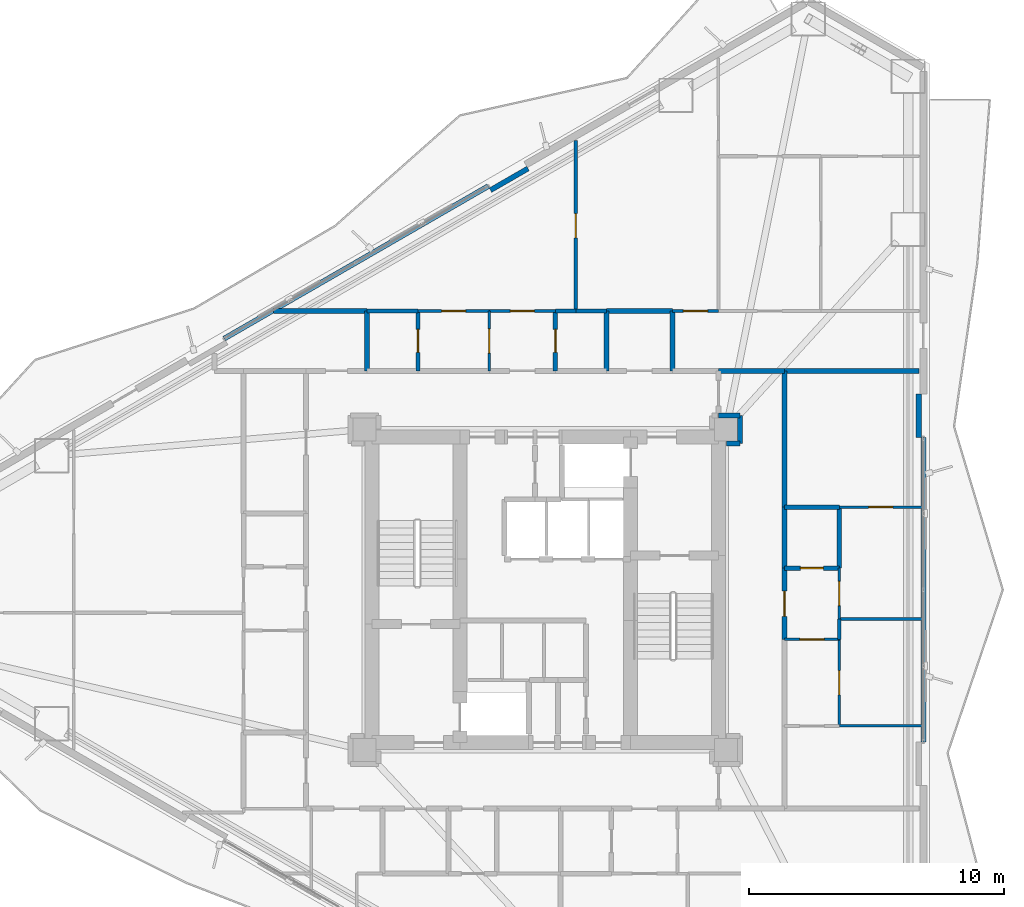
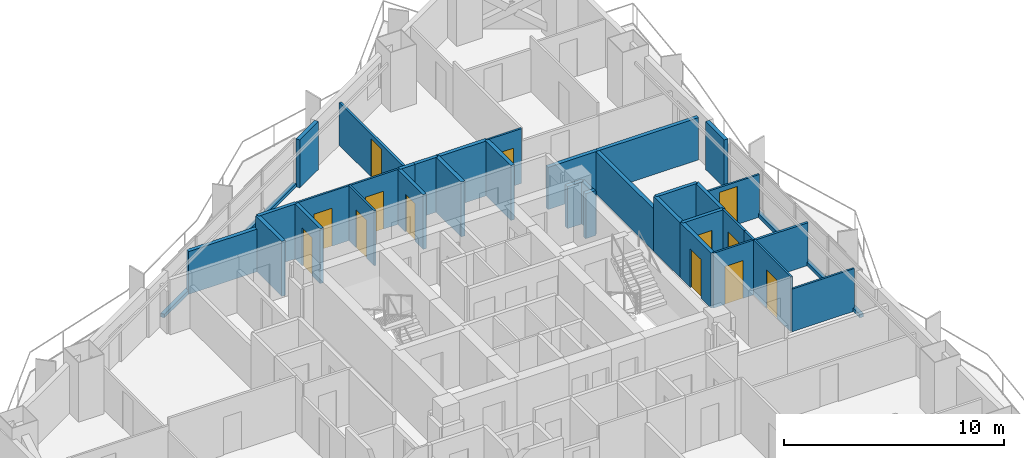
# One storey, part 16 of 19: 37 walls, 13 doors, 13 openings.
"""IFC4 building model written with IfcOpenShell, lengths in metres."""

from ifc_helpers import new_model, si_unit, direction, frame, frame_2d, origin, place, context, subcontext, project, spatial, rectangle, extrude, material, layer, layer_set, type_object, element, fill, save


model = new_model("IFC4")

# Units and contexts
model_context = context("Model", 3, precision=1e-05, world=origin(), true_north=direction((0.0, 1.0)))
body_context = subcontext(model_context, "Body", "Model", "MODEL_VIEW")
ifc_project = project(units=[si_unit("LENGTHUNIT", "METRE"), si_unit("AREAUNIT", "SQUARE_METRE"), si_unit("VOLUMEUNIT", "CUBIC_METRE"), si_unit("PLANEANGLEUNIT", "RADIAN"), si_unit("MASSUNIT", "GRAM", prefix="KILO")], contexts=[model_context])

# Site, building, storey
site_placement = place(None, origin())
site = spatial("IfcSite", under=ifc_project, at=site_placement, CompositionType="ELEMENT")
building_placement = place(site_placement, origin())
building = spatial("IfcBuilding", under=site, at=building_placement, Name="Mersakhor Tower and Convention Hall", CompositionType="ELEMENT")
storey_placement = place(building_placement, frame((0.0, 0.0, 25.800048828125)))
storey = spatial("IfcBuildingStorey", under=building, at=storey_placement, Name="L06", CompositionType="ELEMENT", Elevation=25.800048828125)

# Walls
ifc_material_1 = material(Name="Precast concrete C40/50", Category="concrete")
ifc_layer_1 = layer(ifc_material_1, 0.199951171875)
ifc_layer_set_1 = layer_set([ifc_layer_1], Name="Precast concrete C40/50")
wall_type_1 = type_object("IfcWallType", Name="WL-PAR-200", PredefinedType="PARAPET", material=ifc_layer_set_1)
wall_1_placement = place(storey_placement, frame((16.390380859375, 36.6171875, 0.0), z_axis=(0.0, 0.0, 1.0), x_axis=(0.866027351828, 0.499996625875, 0.0)))
element("IfcWall", 1, at=wall_1_placement, inside=storey, type_object=wall_type_1, Name="L06 Curtain Wall Upstand Sill F1-B2", PredefinedType="PARAPET", context=body_context, shape_type="SweptSolid", body=[
    extrude(rectangle(XDim=11.97314453125, YDim=0.199951171875, at=frame_2d((5.986572265625, 0.0))), origin(), (0.0, 0.0, 1.0), 0.199951171875),
])
wall_2_placement = place(storey_placement, frame((26.849609375, 42.447998046875, 0.0), z_axis=(0.0, 0.0, 1.0), x_axis=(0.86605165483, 0.499954529098, 0.0)))
element("IfcWall", 2, at=wall_2_placement, inside=storey, type_object=wall_type_1, Name="L06 Column Pier Cladding Wall F1-C2", PredefinedType="PARAPET", context=body_context, shape_type="SweptSolid", body=[
    extrude(rectangle(XDim=1.699951171875, YDim=0.199951171875, at=frame_2d((0.85009765625, 0.0))), origin(), (0.0, 0.0, 1.0), 2.659912109375),
])
wall_3_placement = place(storey_placement, frame((43.85009765625, 32.736572265625, 0.0), z_axis=(0.0, 0.0, 1.0), x_axis=(0.0, -1.0, 0.0)))
element("IfcWall", 3, at=wall_3_placement, inside=storey, type_object=wall_type_1, Name="L06 Curtain Wall Upstand Sill F2-B2", PredefinedType="PARAPET", context=body_context, shape_type="SweptSolid", body=[
    extrude(rectangle(XDim=11.97314453125, YDim=0.199951171875, at=frame_2d((5.986572265625, 0.0))), origin(), (0.0, 0.0, 1.0), 0.199951171875),
])
wall_4_placement = place(storey_placement, frame((43.669921875, 34.4365234375, 0.0), z_axis=(0.0, 0.0, 1.0), x_axis=(0.0, -1.0, 0.0)))
element("IfcWall", 4, at=wall_4_placement, inside=storey, type_object=wall_type_1, Name="L06 Column Pier Cladding Wall F2-C1", PredefinedType="PARAPET", context=body_context, shape_type="SweptSolid", body=[
    extrude(rectangle(XDim=1.699951171875, YDim=0.199951171875, at=frame_2d((0.85009765625, 0.0))), origin(), (0.0, 0.0, 1.0), 2.659912109375),
])

# Wall, opening, door
ifc_material_2 = material(Name="Moisture-resistant acoustic drywall studwork", Category="other")
ifc_layer_2 = layer(ifc_material_2, 0.175048828125)
ifc_layer_set_2 = layer_set([ifc_layer_2], Name="Moisture-resistant acoustic drywall studwork")
wall_type_2 = type_object("IfcWallType", Name="WL-PLM-175", PredefinedType="PLUMBINGWALL", material=ifc_layer_set_2)
wall_5_placement = place(storey_placement, frame((29.39990234375, 37.699951171875, 0.0), z_axis=(0.0, 0.0, 1.0), x_axis=(0.0, -1.0, 0.0)))
wall_5 = element("IfcWall", 5, at=wall_5_placement, inside=storey, type_object=wall_type_2, Name="L06 Interior Partition Wall P-069", PredefinedType="PLUMBINGWALL", context=body_context, shape_type="SweptSolid", body=[
    extrude(rectangle(XDim=2.349853515625, YDim=0.175048828125, at=frame_2d((1.1748046875, 0.0))), origin(), (0.0, 0.0, 1.0), 3.0400390625),
])
opening_1_placement = place(wall_5_placement, frame((0.72509765625, 0.0, 0.0)))
opening_1 = element("IfcOpeningElement", 6, at=opening_1_placement, cuts=wall_5, Name="Opening WD-01", PredefinedType="OPENING", context=body_context, shape_type="SweptSolid", body=[
    extrude(rectangle(XDim=0.89990234375, YDim=2.10009765625, at=frame_2d((0.449951171875, 1.050048828125))), frame((0.0, 0.097412109375, 0.0), z_axis=(0.0, -1.0, 0.0), x_axis=(1.0, 0.0, 0.0)), (0.0, 0.0, 1.0), 0.195068359375),
])
ifc_material_3 = material(Name="Solid-core hardwood leaf in painted steel frame", Category="steel")
door_type_1 = type_object("IfcDoorType", Name="DR-INT-WET-090x210", OperationType="NOTDEFINED", PredefinedType="DOOR", material=ifc_material_3)
door_1_placement = place(opening_1_placement, origin())
door_1 = element("IfcDoor", 7, at=door_1_placement, inside=storey, type_object=door_type_1, Name="L06 L06 Flat N1 Apartment Hall to L06 Flat N1 En-Suite Shower Room Door", OperationType="SINGLE_SWING_RIGHT", OverallHeight=2.10009765625, OverallWidth=0.89990234375, PredefinedType="DOOR", context=body_context, shape_type="SweptSolid", body=[
    extrude(rectangle(XDim=0.89990234375, YDim=2.10009765625, at=frame_2d((0.449951171875, 1.050048828125))), frame((0.0, 0.02490234375, 0.0), z_axis=(0.0, -1.0, 0.0), x_axis=(1.0, 0.0, 0.0)), (0.0, 0.0, 1.0), 0.050048828125),
])
fill(opening_1, door_1)

wall_6_placement = place(storey_placement, frame((38.39990234375, 27.60009765625, 0.0), z_axis=(0.0, 0.0, 1.0), x_axis=(1.0, 0.0, 0.0)))
wall_6 = element("IfcWall", 8, at=wall_6_placement, inside=storey, type_object=wall_type_2, Name="L06 Interior Partition Wall P-081", PredefinedType="PLUMBINGWALL", context=body_context, shape_type="SweptSolid", body=[
    extrude(rectangle(XDim=2.150146484375, YDim=0.175048828125, at=frame_2d((1.0751953125, 0.0))), origin(), (0.0, 0.0, 1.0), 3.0400390625),
])
opening_2_placement = place(wall_6_placement, frame((0.625, 0.0, 0.0)))
opening_2 = element("IfcOpeningElement", 9, at=opening_2_placement, cuts=wall_6, Name="Opening WD-01", PredefinedType="OPENING", context=body_context, shape_type="SweptSolid", body=[
    extrude(rectangle(XDim=0.89990234375, YDim=2.10009765625, at=frame_2d((0.449951171875, 1.050048828125))), frame((0.0, 0.097412109375, 0.0), z_axis=(0.0, -1.0, 0.0), x_axis=(1.0, 0.0, 0.0)), (0.0, 0.0, 1.0), 0.195068359375),
])
door_2_placement = place(opening_2_placement, origin())
door_2 = element("IfcDoor", 10, at=door_2_placement, inside=storey, type_object=door_type_1, Name="L06 L06 Flat E5 Apartment Hall to L06 Flat E5 Bathroom Door", OperationType="SINGLE_SWING_RIGHT", OverallHeight=2.10009765625, OverallWidth=0.89990234375, PredefinedType="DOOR", context=body_context, shape_type="SweptSolid", body=[
    extrude(rectangle(XDim=0.89990234375, YDim=2.10009765625, at=frame_2d((0.449951171875, 1.050048828125))), frame((0.0, 0.02490234375, 0.0), z_axis=(0.0, -1.0, 0.0), x_axis=(1.0, 0.0, 0.0)), (0.0, 0.0, 1.0), 0.050048828125),
])
fill(opening_2, door_2)

wall_7_placement = place(storey_placement, frame((24.0, 35.35009765625, 0.0), z_axis=(0.0, 0.0, 1.0), x_axis=(0.0, 1.0, 0.0)))
wall_7 = element("IfcWall", 11, at=wall_7_placement, inside=storey, type_object=wall_type_2, Name="L06 Interior Partition Wall P-083", PredefinedType="PLUMBINGWALL", context=body_context, shape_type="SweptSolid", body=[
    extrude(rectangle(XDim=2.349853515625, YDim=0.175048828125, at=frame_2d((1.1748046875, 0.0))), origin(), (0.0, 0.0, 1.0), 3.0400390625),
])
opening_3_placement = place(wall_7_placement, frame((0.72509765625, 0.0, 0.0)))
opening_3 = element("IfcOpeningElement", 12, at=opening_3_placement, cuts=wall_7, Name="Opening WD-01", PredefinedType="OPENING", context=body_context, shape_type="SweptSolid", body=[
    extrude(rectangle(XDim=0.89990234375, YDim=2.10009765625, at=frame_2d((0.449951171875, 1.050048828125))), frame((0.0, 0.097412109375, 0.0), z_axis=(0.0, -1.0, 0.0), x_axis=(1.0, 0.0, 0.0)), (0.0, 0.0, 1.0), 0.195068359375),
])
door_3_placement = place(opening_3_placement, origin())
door_3 = element("IfcDoor", 13, at=door_3_placement, inside=storey, type_object=door_type_1, Name="L06 L06 Flat N1 Kitchen to L06 Flat N1 Bathroom Door", OperationType="SINGLE_SWING_RIGHT", OverallHeight=2.10009765625, OverallWidth=0.89990234375, PredefinedType="DOOR", context=body_context, shape_type="SweptSolid", body=[
    extrude(rectangle(XDim=0.89990234375, YDim=2.10009765625, at=frame_2d((0.449951171875, 1.050048828125))), frame((0.0, 0.02490234375, 0.0), z_axis=(0.0, -1.0, 0.0), x_axis=(1.0, 0.0, 0.0)), (0.0, 0.0, 1.0), 0.050048828125),
])
fill(opening_3, door_3)

# Walls
wall_8_placement = place(storey_placement, frame((22.0, 37.699951171875, 0.0), z_axis=(0.0, 0.0, 1.0), x_axis=(1.0, 0.0, 0.0)))
element("IfcWall", 14, at=wall_8_placement, inside=storey, type_object=wall_type_2, Name="L06 Interior Partition Wall P-084", PredefinedType="PLUMBINGWALL", context=body_context, shape_type="SweptSolid", body=[
    extrude(rectangle(XDim=2.0, YDim=0.175048828125, at=frame_2d((1.0, 0.0))), origin(), (0.0, 0.0, 1.0), 3.0400390625),
])
wall_9_placement = place(storey_placement, frame((29.39990234375, 37.699951171875, 0.0), z_axis=(0.0, 0.0, 1.0), x_axis=(1.0, 0.0, 0.0)))
element("IfcWall", 15, at=wall_9_placement, inside=storey, type_object=wall_type_2, Name="L06 Interior Partition Wall P-086", PredefinedType="PLUMBINGWALL", context=body_context, shape_type="SweptSolid", body=[
    extrude(rectangle(XDim=0.800048828125, YDim=0.175048828125, at=frame_2d((0.39990234375, 0.0))), origin(), (0.0, 0.0, 1.0), 3.0400390625),
])
wall_10_placement = place(storey_placement, frame((30.199951171875, 37.699951171875, 0.0), z_axis=(0.0, 0.0, 1.0), x_axis=(1.0, 0.0, 0.0)))
element("IfcWall", 16, at=wall_10_placement, inside=storey, type_object=wall_type_2, Name="L06 Interior Partition Wall P-087", PredefinedType="PLUMBINGWALL", context=body_context, shape_type="SweptSolid", body=[
    extrude(rectangle(XDim=1.199951171875, YDim=0.175048828125, at=frame_2d((0.60009765625, 0.0))), origin(), (0.0, 0.0, 1.0), 3.0400390625),
])
wall_11_placement = place(storey_placement, frame((40.550048828125, 30.0, 0.0), z_axis=(0.0, 0.0, 1.0), x_axis=(0.0, -1.0, 0.0)))
element("IfcWall", 17, at=wall_11_placement, inside=storey, type_object=wall_type_2, Name="L06 Interior Partition Wall P-101", PredefinedType="PLUMBINGWALL", context=body_context, shape_type="SweptSolid", body=[
    extrude(rectangle(XDim=2.39990234375, YDim=0.175048828125, at=frame_2d((1.199951171875, 0.0))), origin(), (0.0, 0.0, 1.0), 3.0400390625),
])
wall_12_placement = place(storey_placement, frame((38.39990234375, 30.0, 0.0), z_axis=(0.0, 0.0, 1.0), x_axis=(1.0, 0.0, 0.0)))
element("IfcWall", 18, at=wall_12_placement, inside=storey, type_object=wall_type_2, Name="L06 Interior Partition Wall P-102", PredefinedType="PLUMBINGWALL", context=body_context, shape_type="SweptSolid", body=[
    extrude(rectangle(XDim=2.150146484375, YDim=0.175048828125, at=frame_2d((1.0751953125, 0.0))), origin(), (0.0, 0.0, 1.0), 3.0400390625),
])

# Wall, opening, door
ifc_material_4 = material(Name="Lightweight gypsum partition", Category="other")
ifc_layer_3 = layer(ifc_material_4, 0.10009765625)
ifc_layer_set_3 = layer_set([ifc_layer_3], Name="Lightweight gypsum partition")
wall_type_3 = type_object("IfcWallType", Name="WL-PRT-100", PredefinedType="PARTITIONING", material=ifc_layer_set_3)
wall_13_placement = place(storey_placement, frame((26.800048828125, 37.699951171875, 0.0), z_axis=(0.0, 0.0, 1.0), x_axis=(1.0, 0.0, 0.0)))
wall_13 = element("IfcWall", 19, at=wall_13_placement, inside=storey, type_object=wall_type_3, Name="L06 Interior Partition Wall P-068", PredefinedType="PARTITIONING", context=body_context, shape_type="SweptSolid", body=[
    extrude(rectangle(XDim=2.599853515625, YDim=0.10009765625, at=frame_2d((1.2998046875, 0.0))), origin(), (0.0, 0.0, 1.0), 3.0400390625),
])
opening_4_placement = place(wall_13_placement, frame((0.824951171875, 0.0, 0.0)))
opening_4 = element("IfcOpeningElement", 20, at=opening_4_placement, cuts=wall_13, Name="Opening RD-01", PredefinedType="OPENING", context=body_context, shape_type="SweptSolid", body=[
    extrude(rectangle(XDim=0.949951171875, YDim=2.10009765625, at=frame_2d((0.47509765625, 1.050048828125))), frame((0.0, 0.06005859375, 0.0), z_axis=(0.0, -1.0, 0.0), x_axis=(1.0, 0.0, 0.0)), (0.0, 0.0, 1.0), 0.1201171875),
])
ifc_material_5 = material(Name="Solid-core hardwood leaf in painted steel frame", Category="steel")
door_type_2 = type_object("IfcDoorType", Name="DR-INT-RM-095x210", OperationType="NOTDEFINED", PredefinedType="DOOR", material=ifc_material_5)
door_4_placement = place(opening_4_placement, origin())
door_4 = element("IfcDoor", 21, at=door_4_placement, inside=storey, type_object=door_type_2, Name="L06 L06 Flat N1 Apartment Hall to L06 Flat N1 Living and Dining Room Door", OperationType="SINGLE_SWING_LEFT", OverallHeight=2.10009765625, OverallWidth=0.949951171875, PredefinedType="DOOR", context=body_context, shape_type="SweptSolid", body=[
    extrude(rectangle(XDim=0.949951171875, YDim=2.10009765625, at=frame_2d((0.47509765625, 1.050048828125))), frame((0.0, 0.02490234375, 0.0), z_axis=(0.0, -1.0, 0.0), x_axis=(1.0, 0.0, 0.0)), (0.0, 0.0, 1.0), 0.050048828125),
])
fill(opening_4, door_4)

wall_14_placement = place(storey_placement, frame((26.800048828125, 35.35009765625, 0.0), z_axis=(0.0, 0.0, 1.0), x_axis=(0.0, 1.0, 0.0)))
wall_14 = element("IfcWall", 22, at=wall_14_placement, inside=storey, type_object=wall_type_3, Name="L06 Interior Partition Wall P-070", PredefinedType="PARTITIONING", context=body_context, shape_type="SweptSolid", body=[
    extrude(rectangle(XDim=2.349853515625, YDim=0.10009765625, at=frame_2d((1.1748046875, 0.0))), origin(), (0.0, 0.0, 1.0), 3.0400390625),
])
opening_5_placement = place(wall_14_placement, frame((0.699951171875, 0.0, 0.0)))
opening_5 = element("IfcOpeningElement", 23, at=opening_5_placement, cuts=wall_14, Name="Opening RD-01", PredefinedType="OPENING", context=body_context, shape_type="SweptSolid", body=[
    extrude(rectangle(XDim=0.949951171875, YDim=2.10009765625, at=frame_2d((0.47509765625, 1.050048828125))), frame((0.0, 0.06005859375, 0.0), z_axis=(0.0, -1.0, 0.0), x_axis=(1.0, 0.0, 0.0)), (0.0, 0.0, 1.0), 0.1201171875),
])
door_5_placement = place(opening_5_placement, origin())
door_5 = element("IfcDoor", 24, at=door_5_placement, inside=storey, type_object=door_type_2, Name="L06 L06 Flat N1 Apartment Hall to L06 Flat N1 Kitchen Door", OperationType="SINGLE_SWING_LEFT", OverallHeight=2.10009765625, OverallWidth=0.949951171875, PredefinedType="DOOR", context=body_context, shape_type="SweptSolid", body=[
    extrude(rectangle(XDim=0.949951171875, YDim=2.10009765625, at=frame_2d((0.47509765625, 1.050048828125))), frame((0.0, 0.02490234375, 0.0), z_axis=(0.0, -1.0, 0.0), x_axis=(1.0, 0.0, 0.0)), (0.0, 0.0, 1.0), 0.050048828125),
])
fill(opening_5, door_5)

wall_15_placement = place(storey_placement, frame((40.550048828125, 27.60009765625, 0.0), z_axis=(0.0, 0.0, 1.0), x_axis=(0.0, -1.0, 0.0)))
wall_15 = element("IfcWall", 25, at=wall_15_placement, inside=storey, type_object=wall_type_3, Name="L06 Interior Partition Wall P-078", PredefinedType="PARTITIONING", context=body_context, shape_type="SweptSolid", body=[
    extrude(rectangle(XDim=2.0, YDim=0.10009765625, at=frame_2d((1.0, 0.0))), origin(), (0.0, 0.0, 1.0), 3.0400390625),
])
opening_6_placement = place(wall_15_placement, frame((0.52490234375, 0.0, 0.0)))
opening_6 = element("IfcOpeningElement", 26, at=opening_6_placement, cuts=wall_15, Name="Opening RD-01", PredefinedType="OPENING", context=body_context, shape_type="SweptSolid", body=[
    extrude(rectangle(XDim=0.949951171875, YDim=2.10009765625, at=frame_2d((0.47509765625, 1.050048828125))), frame((0.0, 0.06005859375, 0.0), z_axis=(0.0, -1.0, 0.0), x_axis=(1.0, 0.0, 0.0)), (0.0, 0.0, 1.0), 0.1201171875),
])
door_6_placement = place(opening_6_placement, origin())
door_6 = element("IfcDoor", 27, at=door_6_placement, inside=storey, type_object=door_type_2, Name="L06 L06 Flat E5 Apartment Hall to L06 Flat E5 Master Bedroom Door", OperationType="SINGLE_SWING_LEFT", OverallHeight=2.10009765625, OverallWidth=0.949951171875, PredefinedType="DOOR", context=body_context, shape_type="SweptSolid", body=[
    extrude(rectangle(XDim=0.949951171875, YDim=2.10009765625, at=frame_2d((0.47509765625, 1.050048828125))), frame((0.0, 0.02490234375, 0.0), z_axis=(0.0, -1.0, 0.0), x_axis=(1.0, 0.0, 0.0)), (0.0, 0.0, 1.0), 0.050048828125),
])
fill(opening_6, door_6)

wall_16_placement = place(storey_placement, frame((40.550048828125, 24.800048828125, 0.0), z_axis=(0.0, 0.0, 1.0), x_axis=(-1.0, 0.0, 0.0)))
wall_16 = element("IfcWall", 28, at=wall_16_placement, inside=storey, type_object=wall_type_3, Name="L06 Interior Partition Wall P-080", PredefinedType="PARTITIONING", context=body_context, shape_type="SweptSolid", body=[
    extrude(rectangle(XDim=2.150146484375, YDim=0.10009765625, at=frame_2d((1.0751953125, 0.0))), origin(), (0.0, 0.0, 1.0), 3.0400390625),
])
opening_7_placement = place(wall_16_placement, frame((0.60009765625, 0.0, 0.0)))
opening_7 = element("IfcOpeningElement", 29, at=opening_7_placement, cuts=wall_16, Name="Opening RD-01", PredefinedType="OPENING", context=body_context, shape_type="SweptSolid", body=[
    extrude(rectangle(XDim=0.949951171875, YDim=2.10009765625, at=frame_2d((0.47509765625, 1.050048828125))), frame((0.0, 0.06005859375, 0.0), z_axis=(0.0, -1.0, 0.0), x_axis=(1.0, 0.0, 0.0)), (0.0, 0.0, 1.0), 0.1201171875),
])
door_7_placement = place(opening_7_placement, origin())
door_7 = element("IfcDoor", 30, at=door_7_placement, inside=storey, type_object=door_type_2, Name="L06 L06 Flat E5 Apartment Hall to L06 Flat E5 Dining Alcove Door", OperationType="SINGLE_SWING_RIGHT", OverallHeight=2.10009765625, OverallWidth=0.949951171875, PredefinedType="DOOR", context=body_context, shape_type="SweptSolid", body=[
    extrude(rectangle(XDim=0.949951171875, YDim=2.10009765625, at=frame_2d((0.47509765625, 1.050048828125))), frame((0.0, 0.02490234375, 0.0), z_axis=(0.0, -1.0, 0.0), x_axis=(1.0, 0.0, 0.0)), (0.0, 0.0, 1.0), 0.050048828125),
])
fill(opening_7, door_7)

wall_17_placement = place(storey_placement, frame((24.0, 37.699951171875, 0.0), z_axis=(0.0, 0.0, 1.0), x_axis=(1.0, 0.0, 0.0)))
wall_17 = element("IfcWall", 31, at=wall_17_placement, inside=storey, type_object=wall_type_3, Name="L06 Interior Partition Wall P-082", PredefinedType="PARTITIONING", context=body_context, shape_type="SweptSolid", body=[
    extrude(rectangle(XDim=2.800048828125, YDim=0.10009765625, at=frame_2d((1.39990234375, 0.0))), origin(), (0.0, 0.0, 1.0), 3.0400390625),
])
opening_8_placement = place(wall_17_placement, frame((0.925048828125, 0.0, 0.0)))
opening_8 = element("IfcOpeningElement", 32, at=opening_8_placement, cuts=wall_17, Name="Opening RD-01", PredefinedType="OPENING", context=body_context, shape_type="SweptSolid", body=[
    extrude(rectangle(XDim=0.949951171875, YDim=2.10009765625, at=frame_2d((0.47509765625, 1.050048828125))), frame((0.0, 0.06005859375, 0.0), z_axis=(0.0, -1.0, 0.0), x_axis=(1.0, 0.0, 0.0)), (0.0, 0.0, 1.0), 0.1201171875),
])
door_8_placement = place(opening_8_placement, origin())
door_8 = element("IfcDoor", 33, at=door_8_placement, inside=storey, type_object=door_type_2, Name="L06 L06 Flat N1 Kitchen to L06 Flat N1 Living and Dining Room Door", OperationType="SINGLE_SWING_LEFT", OverallHeight=2.10009765625, OverallWidth=0.949951171875, PredefinedType="DOOR", context=body_context, shape_type="SweptSolid", body=[
    extrude(rectangle(XDim=0.949951171875, YDim=2.10009765625, at=frame_2d((0.47509765625, 1.050048828125))), frame((0.0, 0.02490234375, 0.0), z_axis=(0.0, -1.0, 0.0), x_axis=(1.0, 0.0, 0.0)), (0.0, 0.0, 1.0), 0.050048828125),
])
fill(opening_8, door_8)

# Wall
wall_18_placement = place(storey_placement, frame((40.550048828125, 21.39990234375, 0.0), z_axis=(0.0, 0.0, 1.0), x_axis=(1.0, 0.0, 0.0)))
element("IfcWall", 34, at=wall_18_placement, inside=storey, type_object=wall_type_3, Name="L06 Interior Partition Wall P-104", PredefinedType="PARTITIONING", context=body_context, shape_type="SweptSolid", body=[
    extrude(rectangle(XDim=3.263916015625, YDim=0.10009765625, at=frame_2d((1.6318359375, 0.0))), origin(), (0.0, 0.0, 1.0), 2.364990234375),
])

# Wall, opening, door
wall_19_placement = place(storey_placement, frame((34.0, 37.699951171875, 0.0), z_axis=(0.0, 0.0, 1.0), x_axis=(1.0, 0.0, 0.0)))
wall_19 = element("IfcWall", 35, at=wall_19_placement, inside=storey, type_object=wall_type_3, Name="L06 Interior Partition Wall P-116", PredefinedType="PARTITIONING", context=body_context, shape_type="SweptSolid", body=[
    extrude(rectangle(XDim=1.800048828125, YDim=0.10009765625, at=frame_2d((0.89990234375, 0.0))), origin(), (0.0, 0.0, 1.0), 3.0400390625),
])
opening_9_placement = place(wall_19_placement, frame((0.425048828125, 0.0, 0.0)))
opening_9 = element("IfcOpeningElement", 36, at=opening_9_placement, cuts=wall_19, Name="Opening RD-01", PredefinedType="OPENING", context=body_context, shape_type="SweptSolid", body=[
    extrude(rectangle(XDim=0.949951171875, YDim=2.10009765625, at=frame_2d((0.47509765625, 1.050048828125))), frame((0.0, 0.06005859375, 0.0), z_axis=(0.0, -1.0, 0.0), x_axis=(1.0, 0.0, 0.0)), (0.0, 0.0, 1.0), 0.1201171875),
])
door_9_placement = place(opening_9_placement, origin())
door_9 = element("IfcDoor", 37, at=door_9_placement, inside=storey, type_object=door_type_2, Name="L06 L06 Flat N1 Study Room to L06 Flat N1 Master Bedroom Door", OperationType="SINGLE_SWING_LEFT", OverallHeight=2.10009765625, OverallWidth=0.949951171875, PredefinedType="DOOR", context=body_context, shape_type="SweptSolid", body=[
    extrude(rectangle(XDim=0.949951171875, YDim=2.10009765625, at=frame_2d((0.47509765625, 1.050048828125))), frame((0.0, 0.02490234375, 0.0), z_axis=(0.0, -1.0, 0.0), x_axis=(1.0, 0.0, 0.0)), (0.0, 0.0, 1.0), 0.050048828125),
])
fill(opening_9, door_9)

wall_20_placement = place(storey_placement, frame((43.81396484375, 30.0, 0.0), z_axis=(0.0, 0.0, 1.0), x_axis=(-1.0, 0.0, 0.0)))
wall_20 = element("IfcWall", 38, at=wall_20_placement, inside=storey, type_object=wall_type_3, Name="L06 Interior Partition Wall P-146", PredefinedType="PARTITIONING", context=body_context, shape_type="SweptSolid", body=[
    extrude(rectangle(XDim=3.263916015625, YDim=0.10009765625, at=frame_2d((1.6318359375, 0.0))), origin(), (0.0, 0.0, 1.0), 2.364990234375),
])
opening_10_placement = place(wall_20_placement, frame((1.156982421875, 0.0, 0.0)))
opening_10 = element("IfcOpeningElement", 39, at=opening_10_placement, cuts=wall_20, Name="Opening RD-01", PredefinedType="OPENING", context=body_context, shape_type="SweptSolid", body=[
    extrude(rectangle(XDim=0.949951171875, YDim=2.10009765625, at=frame_2d((0.47509765625, 1.050048828125))), frame((0.0, 0.06005859375, 0.0), z_axis=(0.0, -1.0, 0.0), x_axis=(1.0, 0.0, 0.0)), (0.0, 0.0, 1.0), 0.1201171875),
])
door_10_placement = place(opening_10_placement, origin())
door_10 = element("IfcDoor", 40, at=door_10_placement, inside=storey, type_object=door_type_2, Name="L06 L06 Flat E5 Living and Dining Room to L06 Flat E5 Master Bedroom Door", OperationType="SINGLE_SWING_LEFT", OverallHeight=2.10009765625, OverallWidth=0.949951171875, PredefinedType="DOOR", context=body_context, shape_type="SweptSolid", body=[
    extrude(rectangle(XDim=0.949951171875, YDim=2.10009765625, at=frame_2d((0.47509765625, 1.050048828125))), frame((0.0, 0.02490234375, 0.0), z_axis=(0.0, -1.0, 0.0), x_axis=(1.0, 0.0, 0.0)), (0.0, 0.0, 1.0), 0.050048828125),
])
fill(opening_10, door_10)

wall_21_placement = place(storey_placement, frame((40.550048828125, 21.39990234375, 0.0), z_axis=(0.0, 0.0, 1.0), x_axis=(0.0, 1.0, 0.0)))
wall_21 = element("IfcWall", 41, at=wall_21_placement, inside=storey, type_object=wall_type_3, Name="L06 Interior Partition Wall P-148", PredefinedType="PARTITIONING", context=body_context, shape_type="SweptSolid", body=[
    extrude(rectangle(XDim=3.400146484375, YDim=0.10009765625, at=frame_2d((1.7001953125, 0.0))), origin(), (0.0, 0.0, 1.0), 3.0400390625),
])
opening_11_placement = place(wall_21_placement, frame((1.22509765625, 0.0, 0.0)))
opening_11 = element("IfcOpeningElement", 42, at=opening_11_placement, cuts=wall_21, Name="Opening RD-01", PredefinedType="OPENING", context=body_context, shape_type="SweptSolid", body=[
    extrude(rectangle(XDim=0.949951171875, YDim=2.10009765625, at=frame_2d((0.47509765625, 1.050048828125))), frame((0.0, 0.06005859375, 0.0), z_axis=(0.0, -1.0, 0.0), x_axis=(1.0, 0.0, 0.0)), (0.0, 0.0, 1.0), 0.1201171875),
])
door_11_placement = place(opening_11_placement, origin())
door_11 = element("IfcDoor", 43, at=door_11_placement, inside=storey, type_object=door_type_2, Name="L06 L06 Flat E5 Bedroom 2 to L06 Flat E5 Dining Alcove Door", OperationType="SINGLE_SWING_RIGHT", OverallHeight=2.10009765625, OverallWidth=0.949951171875, PredefinedType="DOOR", context=body_context, shape_type="SweptSolid", body=[
    extrude(rectangle(XDim=0.949951171875, YDim=2.10009765625, at=frame_2d((0.47509765625, 1.050048828125))), frame((0.0, 0.02490234375, 0.0), z_axis=(0.0, -1.0, 0.0), x_axis=(1.0, 0.0, 0.0)), (0.0, 0.0, 1.0), 0.050048828125),
])
fill(opening_11, door_11)

# Wall
ifc_material_6 = material(Name="Gypsum board acoustic partition", Category="other")
ifc_layer_4 = layer(ifc_material_6, 0.125)
ifc_layer_set_4 = layer_set([ifc_layer_4], Name="Gypsum board acoustic partition")
wall_type_4 = type_object("IfcWallType", Name="WL-PRT-125", PredefinedType="PARTITIONING", material=ifc_layer_set_4)
wall_22_placement = place(storey_placement, frame((40.550048828125, 25.60009765625, 0.0), z_axis=(0.0, 0.0, 1.0), x_axis=(0.0, -1.0, 0.0)))
element("IfcWall", 44, at=wall_22_placement, inside=storey, type_object=wall_type_4, Name="L06 Interior Partition Wall P-079", PredefinedType="PARTITIONING", context=body_context, shape_type="SweptSolid", body=[
    extrude(rectangle(XDim=0.800048828125, YDim=0.125, at=frame_2d((0.39990234375, 0.0))), origin(), (0.0, 0.0, 1.0), 3.0400390625),
])

# Wall, opening, door
wall_23_placement = place(storey_placement, frame((30.199951171875, 44.40380859375, 0.0), z_axis=(0.0, 0.0, 1.0), x_axis=(0.0, -1.0, 0.0)))
wall_23 = element("IfcWall", 45, at=wall_23_placement, inside=storey, type_object=wall_type_4, Name="L06 Interior Partition Wall P-119", PredefinedType="PARTITIONING", context=body_context, shape_type="SweptSolid", body=[
    extrude(rectangle(XDim=6.703857421875, YDim=0.125, at=frame_2d((3.35205078125, 0.0))), origin(), (0.0, 0.0, 1.0), 2.364990234375),
])
opening_12_placement = place(wall_23_placement, frame((2.876708984375, 0.0, 0.0)))
opening_12 = element("IfcOpeningElement", 46, at=opening_12_placement, cuts=wall_23, Name="Opening RD-01", PredefinedType="OPENING", context=body_context, shape_type="SweptSolid", body=[
    extrude(rectangle(XDim=0.949951171875, YDim=2.10009765625, at=frame_2d((0.47509765625, 1.050048828125))), frame((0.0, 0.072509765625, 0.0), z_axis=(0.0, -1.0, 0.0), x_axis=(1.0, 0.0, 0.0)), (0.0, 0.0, 1.0), 0.14501953125),
])
door_12_placement = place(opening_12_placement, origin())
door_12 = element("IfcDoor", 47, at=door_12_placement, inside=storey, type_object=door_type_2, Name="L06 L06 Flat N1 Living and Dining Room to L06 Flat N1 Master Bedroom Door", OperationType="SINGLE_SWING_LEFT", OverallHeight=2.10009765625, OverallWidth=0.949951171875, PredefinedType="DOOR", context=body_context, shape_type="SweptSolid", body=[
    extrude(rectangle(XDim=0.949951171875, YDim=2.10009765625, at=frame_2d((0.47509765625, 1.050048828125))), frame((0.0, 0.02490234375, 0.0), z_axis=(0.0, -1.0, 0.0), x_axis=(1.0, 0.0, 0.0)), (0.0, 0.0, 1.0), 0.050048828125),
])
fill(opening_12, door_12)

# Walls
wall_24_placement = place(storey_placement, frame((43.81396484375, 25.60009765625, 0.0), z_axis=(0.0, 0.0, 1.0), x_axis=(-1.0, 0.0, 0.0)))
element("IfcWall", 48, at=wall_24_placement, inside=storey, type_object=wall_type_4, Name="L06 Interior Partition Wall P-147", PredefinedType="PARTITIONING", context=body_context, shape_type="SweptSolid", body=[
    extrude(rectangle(XDim=3.263916015625, YDim=0.125, at=frame_2d((1.6318359375, 0.0))), origin(), (0.0, 0.0, 1.0), 2.364990234375),
])
ifc_material_7 = material(Name="Acoustic concrete blockwork and gypsum board", Category="masonry")
ifc_layer_5 = layer(ifc_material_7, 0.199951171875)
ifc_layer_set_5 = layer_set([ifc_layer_5], Name="Acoustic concrete blockwork and gypsum board")
wall_type_5 = type_object("IfcWallType", Name="WL-PRT-200", PredefinedType="PARTITIONING", material=ifc_layer_set_5)
wall_25_placement = place(storey_placement, frame((36.125, 32.5, 0.0), z_axis=(0.0, 0.0, 1.0), x_axis=(1.0, 0.0, 0.0)))
element("IfcWall", 49, at=wall_25_placement, inside=storey, type_object=wall_type_5, Name="L06 Interior Partition Wall P-056", PredefinedType="PARTITIONING", context=body_context, shape_type="SweptSolid", body=[
    extrude(rectangle(XDim=0.52490234375, YDim=0.199951171875, at=frame_2d((0.262451171875, 0.0))), origin(), (0.0, 0.0, 1.0), 2.48828125),
])
wall_26_placement = place(storey_placement, frame((36.64990234375, 32.5, 0.0), z_axis=(0.0, 0.0, 1.0), x_axis=(0.0, 1.0, 0.0)))
element("IfcWall", 50, at=wall_26_placement, inside=storey, type_object=wall_type_5, Name="L06 Interior Partition Wall P-057", PredefinedType="PARTITIONING", context=body_context, shape_type="SweptSolid", body=[
    extrude(rectangle(XDim=1.10009765625, YDim=0.199951171875, at=frame_2d((0.550048828125, 0.0))), origin(), (0.0, 0.0, 1.0), 2.33740234375),
])
wall_27_placement = place(storey_placement, frame((36.64990234375, 33.60009765625, 0.0), z_axis=(0.0, 0.0, 1.0), x_axis=(-1.0, 0.0, 0.0)))
element("IfcWall", 51, at=wall_27_placement, inside=storey, type_object=wall_type_5, Name="L06 Interior Partition Wall P-058", PredefinedType="PARTITIONING", context=body_context, shape_type="SweptSolid", body=[
    extrude(rectangle(XDim=0.849853515625, YDim=0.199951171875, at=frame_2d((0.4248046875, 0.0))), origin(), (0.0, 0.0, 1.0), 2.33740234375),
])
wall_28_placement = place(storey_placement, frame((35.800048828125, 35.35009765625, 0.0), z_axis=(0.0, 0.0, 1.0), x_axis=(1.0, 0.0, 0.0)))
element("IfcWall", 52, at=wall_28_placement, inside=storey, type_object=wall_type_5, Name="L06 Interior Partition Wall P-059", PredefinedType="PARTITIONING", context=body_context, shape_type="SweptSolid", body=[
    extrude(rectangle(XDim=2.599853515625, YDim=0.199951171875, at=frame_2d((1.2998046875, 0.0))), origin(), (0.0, 0.0, 1.0), 2.33740234375),
])
wall_29_placement = place(storey_placement, frame((38.39990234375, 35.35009765625, 0.0), z_axis=(0.0, 0.0, 1.0), x_axis=(0.0, -1.0, 0.0)))
element("IfcWall", 53, at=wall_29_placement, inside=storey, type_object=wall_type_5, Name="L06 Interior Partition Wall P-060", PredefinedType="PARTITIONING", context=body_context, shape_type="SweptSolid", body=[
    extrude(rectangle(XDim=5.35009765625, YDim=0.199951171875, at=frame_2d((2.675048828125, 0.0))), origin(), (0.0, 0.0, 1.0), 2.33740234375),
])
wall_30_placement = place(storey_placement, frame((38.39990234375, 30.0, 0.0), z_axis=(0.0, 0.0, 1.0), x_axis=(0.0, -1.0, 0.0)))
element("IfcWall", 54, at=wall_30_placement, inside=storey, type_object=wall_type_5, Name="L06 Interior Partition Wall P-061", PredefinedType="PARTITIONING", context=body_context, shape_type="SweptSolid", body=[
    extrude(rectangle(XDim=2.39990234375, YDim=0.199951171875, at=frame_2d((1.199951171875, 0.0))), origin(), (0.0, 0.0, 1.0), 3.0400390625),
])

# Wall, opening, door
wall_31_placement = place(storey_placement, frame((38.39990234375, 27.60009765625, 0.0), z_axis=(0.0, 0.0, 1.0), x_axis=(0.0, -1.0, 0.0)))
wall_31 = element("IfcWall", 55, at=wall_31_placement, inside=storey, type_object=wall_type_5, Name="L06 Interior Partition Wall P-062", PredefinedType="PARTITIONING", context=body_context, shape_type="SweptSolid", body=[
    extrude(rectangle(XDim=2.800048828125, YDim=0.199951171875, at=frame_2d((1.39990234375, 0.0))), origin(), (0.0, 0.0, 1.0), 3.0400390625),
])
opening_13_placement = place(wall_31_placement, frame((0.89990234375, 0.0, 0.0)))
opening_13 = element("IfcOpeningElement", 56, at=opening_13_placement, cuts=wall_31, Name="Opening FD-01", PredefinedType="OPENING", context=body_context, shape_type="SweptSolid", body=[
    extrude(rectangle(XDim=1.0, YDim=2.14990234375, at=frame_2d((0.5, 1.074951171875))), frame((0.0, 0.10986328125, 0.0), z_axis=(0.0, -1.0, 0.0), x_axis=(1.0, 0.0, 0.0)), (0.0, 0.0, 1.0), 0.219970703125),
])
ifc_material_8 = material(Name="Fire-rated hardwood leaf and painted steel frame", Category="steel")
door_type_3 = type_object("IfcDoorType", Name="DR-INT-FLT-100x215", OperationType="NOTDEFINED", PredefinedType="DOOR", material=ifc_material_8)
door_13_placement = place(opening_13_placement, origin())
door_13 = element("IfcDoor", 57, at=door_13_placement, inside=storey, type_object=door_type_3, Name="L06 Apartment Entrance Door (Residential Ring East Corridor to L06 Flat E5 Apartment Hall)", OperationType="SINGLE_SWING_RIGHT", OverallHeight=2.14990234375, OverallWidth=1.0, PredefinedType="DOOR", context=body_context, shape_type="SweptSolid", body=[
    extrude(rectangle(XDim=1.0, YDim=2.14990234375, at=frame_2d((0.5, 1.074951171875))), frame((0.0, 0.02490234375, 0.0), z_axis=(0.0, -1.0, 0.0), x_axis=(1.0, 0.0, 0.0)), (0.0, 0.0, 1.0), 0.050048828125),
])
fill(opening_13, door_13)

# Walls
for number, where, z_axis, x_axis, name in (
    (58, (22.0, 35.35009765625, 0.0), (0.0, 0.0, 1.0), (0.0, 1.0, 0.0), "L06 Interior Partition Wall P-085"),
    (59, (31.39990234375, 37.699951171875, 0.0), (0.0, 0.0, 1.0), (0.0, -1.0, 0.0), "L06 Interior Partition Wall P-088"),
):
    element("IfcWall", number, at=place(storey_placement, frame(where, z_axis=z_axis, x_axis=x_axis)), inside=storey, type_object=wall_type_5, Name=name, PredefinedType="PARTITIONING", context=body_context, shape_type="SweptSolid", body=[
        extrude(rectangle(XDim=2.349853515625, YDim=0.199951171875, at=frame_2d((1.1748046875, 0.0))), origin(), (0.0, 0.0, 1.0), 3.0400390625),
    ])
wall_32_placement = place(storey_placement, frame((31.39990234375, 37.699951171875, 0.0), z_axis=(0.0, 0.0, 1.0), x_axis=(1.0, 0.0, 0.0)))
element("IfcWall", 60, at=wall_32_placement, inside=storey, type_object=wall_type_5, Name="L06 Interior Partition Wall P-106", PredefinedType="PARTITIONING", context=body_context, shape_type="SweptSolid", body=[
    extrude(rectangle(XDim=2.60009765625, YDim=0.199951171875, at=frame_2d((1.300048828125, 0.0))), origin(), (0.0, 0.0, 1.0), 3.0400390625),
])
wall_33_placement = place(storey_placement, frame((34.0, 37.699951171875, 0.0), z_axis=(0.0, 0.0, 1.0), x_axis=(0.0, -1.0, 0.0)))
element("IfcWall", 61, at=wall_33_placement, inside=storey, type_object=wall_type_5, Name="L06 Interior Partition Wall P-107", PredefinedType="PARTITIONING", context=body_context, shape_type="SweptSolid", body=[
    extrude(rectangle(XDim=2.349853515625, YDim=0.199951171875, at=frame_2d((1.1748046875, 0.0))), origin(), (0.0, 0.0, 1.0), 3.0400390625),
])
wall_34_placement = place(storey_placement, frame((18.331298828125, 37.699951171875, 0.0), z_axis=(0.0, 0.0, 1.0), x_axis=(1.0, 0.0, 0.0)))
element("IfcWall", 62, at=wall_34_placement, inside=storey, type_object=wall_type_5, Name="L06 Interior Partition Wall P-111", PredefinedType="PARTITIONING", context=body_context, shape_type="SweptSolid", body=[
    extrude(rectangle(XDim=3.668701171875, YDim=0.199951171875, at=frame_2d((1.83447265625, 0.0))), origin(), (0.0, 0.0, 1.0), 2.364990234375),
])
wall_35_placement = place(storey_placement, frame((43.6884765625, 35.35009765625, 0.0), z_axis=(0.0, 0.0, 1.0), x_axis=(-1.0, 0.0, 0.0)))
element("IfcWall", 63, at=wall_35_placement, inside=storey, type_object=wall_type_5, Name="L06 Interior Partition Wall P-115", PredefinedType="PARTITIONING", context=body_context, shape_type="SweptSolid", body=[
    extrude(rectangle(XDim=5.28857421875, YDim=0.199951171875, at=frame_2d((2.644287109375, 0.0))), origin(), (0.0, 0.0, 1.0), 2.33740234375),
])

save(model, "model.ifc")
